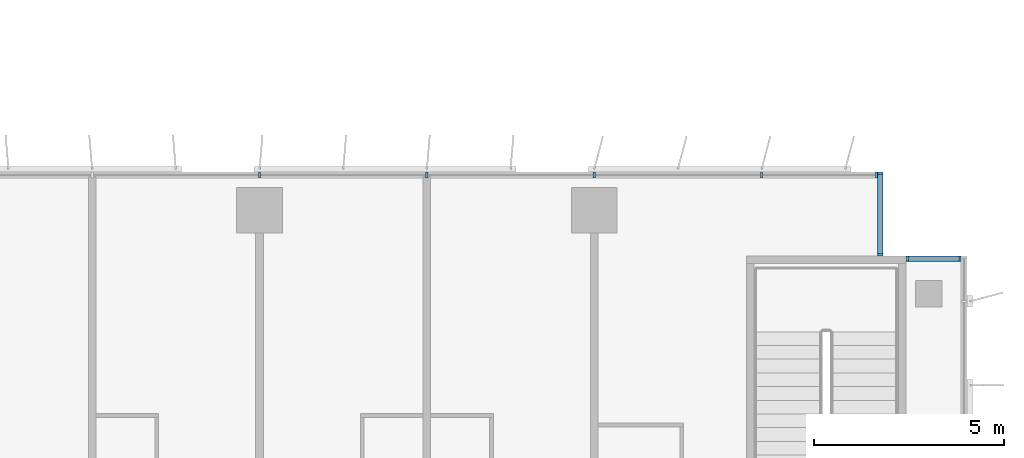
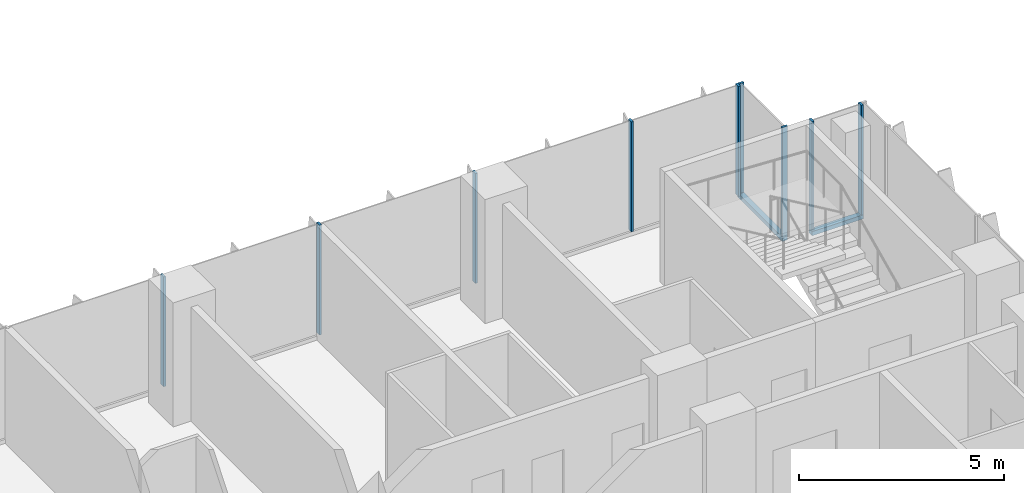
# One storey, part 4 of 22: 11 members, 3 elements without a shape of their own.
"""IFC4 building model written with IfcOpenShell, lengths in metres."""

from ifc_helpers import new_model, si_unit, direction, frame, origin, origin_2d, place, context, subcontext, project, spatial, rectangle, extrude, source, transform, mapped, material, material_profile, profile_set, type_object, element, aggregate, save


model = new_model("IFC4")

# Units and contexts
model_context = context("Model", 3, precision=1e-05, world=origin(), true_north=direction((0.0, 1.0)))
body_context = subcontext(model_context, "Body", "Model", "MODEL_VIEW")
ifc_project = project(units=[si_unit("LENGTHUNIT", "METRE"), si_unit("AREAUNIT", "SQUARE_METRE"), si_unit("VOLUMEUNIT", "CUBIC_METRE"), si_unit("PLANEANGLEUNIT", "RADIAN"), si_unit("MASSUNIT", "GRAM", prefix="KILO")], contexts=[model_context])

# Site, building, storey
site_placement = place(None, origin())
site = spatial("IfcSite", under=ifc_project, at=site_placement, CompositionType="ELEMENT")
building_placement = place(site_placement, origin())
building = spatial("IfcBuilding", under=site, at=building_placement, Name="Kemantara Hotel Tower", CompositionType="ELEMENT")
storey_placement = place(building_placement, frame((0.0, 0.0, 145.699951171875)))
storey = spatial("IfcBuildingStorey", under=building, at=storey_placement, Name="L35", CompositionType="ELEMENT", Elevation=145.699951171875)

# Curtain wall, member
ifc_material_1 = material(Name="Low-E tinted double insulated glass 36 mm", Category="glass")
curtain_wall_type = type_object("IfcCurtainWallType", Name="TOWER CURTAIN WALL, FRONT FACES", PredefinedType="USERDEFINED", material=ifc_material_1)
curtain_wall_1_placement = place(storey_placement, origin())
curtain_wall_1 = element("IfcCurtainWall", 1, at=curtain_wall_1_placement, inside=storey, type_object=curtain_wall_type, Name="CW4 L35 T2-R11-1", ObjectType="TOWER CURTAIN WALL, FRONT FACES", PredefinedType="USERDEFINED")
ifc_material_2 = material(Name="Aluminium 6063-T6 bronze anodised", Category="aluminium")
ifc_material_profile_1 = material_profile(ifc_material_2, rectangle(XDim=0.14990234375, YDim=0.1201171875, at=origin_2d()), Name="TOWER CURTAIN WALL, FRONT FACES TRANSOM")
ifc_profile_set_1 = profile_set([ifc_material_profile_1], Name="Aluminium 6063-T6 bronze anodised")
member_type_1 = type_object("IfcMemberType", Name="TOWER CURTAIN WALL, FRONT FACES TRANSOM", PredefinedType="USERDEFINED", material=ifc_profile_set_1)
member_1_placement = place(storey_placement, frame((63.449951171875, 19.72509765625, 0.06005859375), z_axis=(-1.0, 0.0, 0.0), x_axis=(0.0, -1.0, 0.0)))
member_1 = element("IfcMember", 2, at=member_1_placement, type_object=member_type_1, Name="CW4 sill transom T2-R11-1", ObjectType="TRANSOM", PredefinedType="USERDEFINED", context=body_context, shape_type="SweptSolid", body=[
    extrude(rectangle(XDim=0.14990234375, YDim=0.1201171875, at=origin_2d()), origin(), (0.0, 0.0, 1.0), 1.449951171875),
])

curtain_wall_2_placement = place(storey_placement, origin())
curtain_wall_2 = element("IfcCurtainWall", 3, at=curtain_wall_2_placement, inside=storey, type_object=curtain_wall_type, Name="CW4 L35 T2-R12-1", ObjectType="TOWER CURTAIN WALL, FRONT FACES", PredefinedType="USERDEFINED")
member_2_placement = place(storey_placement, frame((61.324951171875, 19.800048828125, 0.06005859375), z_axis=(0.0, 1.0, 0.0), x_axis=(-1.0, 0.0, 0.0)))
member_2 = element("IfcMember", 4, at=member_2_placement, type_object=member_type_1, Name="CW4 sill transom T2-R12-1", ObjectType="TRANSOM", PredefinedType="USERDEFINED", context=body_context, shape_type="SweptSolid", body=[
    extrude(rectangle(XDim=0.14990234375, YDim=0.1201171875, at=origin_2d()), origin(), (0.0, 0.0, 1.0), 2.199951171875),
])

# Curtain wall, members
curtain_wall_3_placement = place(storey_placement, origin())
curtain_wall_3 = element("IfcCurtainWall", 5, at=curtain_wall_3_placement, inside=storey, type_object=curtain_wall_type, Name="CW4 L35 T2-R13-1", ObjectType="TOWER CURTAIN WALL, FRONT FACES", PredefinedType="USERDEFINED")
ifc_material_profile_2 = material_profile(ifc_material_2, rectangle(XDim=0.14990234375, YDim=0.06005859375, at=origin_2d()), Name="TOWER CURTAIN WALL, FRONT FACES MULLION")
ifc_profile_set_2 = profile_set([ifc_material_profile_2], Name="Aluminium 6063-T6 bronze anodised")
member_type_2 = type_object("IfcMemberType", Name="TOWER CURTAIN WALL, FRONT FACES MULLION", PredefinedType="MULLION", material=ifc_profile_set_2)
shared_shape = source(origin(), body_context, "Body", "SweptSolid", [
    extrude(rectangle(XDim=0.14990234375, YDim=0.06005859375, at=origin_2d()), origin(), (0.0, 0.0, 1.0), 3.280029296875),
])
member_3_placement = place(storey_placement, frame((61.219970703125, 21.925048828125, 0.1201171875), z_axis=(0.0, 0.0, 1.0), x_axis=(0.0, -1.0, 0.0)))
member_3 = element("IfcMember", 6, at=member_3_placement, type_object=member_type_2, Name="CW4 mullion T2-R13-1.1", PredefinedType="MULLION", context=body_context, shape_type="MappedRepresentation", body=[
    mapped(shared_shape, transform((0.0, 0.0, 0.0))),
])
member_4_placement = place(storey_placement, frame((58.199951171875, 21.925048828125, 0.1201171875), z_axis=(0.0, 0.0, 1.0), x_axis=(0.0, -1.0, 0.0)))
member_4 = element("IfcMember", 7, at=member_4_placement, type_object=member_type_2, Name="CW4 mullion T2-R13-1.2", PredefinedType="MULLION", context=body_context, shape_type="MappedRepresentation", body=[
    mapped(shared_shape, transform((0.0, 0.0, 0.0))),
])
member_5_placement = place(storey_placement, frame((53.800048828125, 21.925048828125, 0.1201171875), z_axis=(0.0, 0.0, 1.0), x_axis=(0.0, -1.0, 0.0)))
member_5 = element("IfcMember", 8, at=member_5_placement, type_object=member_type_2, Name="CW4 mullion T2-R13-1.3", PredefinedType="MULLION", context=body_context, shape_type="MappedRepresentation", body=[
    mapped(shared_shape, transform((0.0, 0.0, 0.0))),
])
member_6_placement = place(storey_placement, frame((49.39990234375, 21.925048828125, 0.1201171875), z_axis=(0.0, 0.0, 1.0), x_axis=(0.0, -1.0, 0.0)))
member_6 = element("IfcMember", 9, at=member_6_placement, type_object=member_type_2, Name="CW4 mullion T2-R13-1.4", PredefinedType="MULLION", context=body_context, shape_type="MappedRepresentation", body=[
    mapped(shared_shape, transform((0.0, 0.0, 0.0))),
])
member_7_placement = place(storey_placement, frame((45.0, 21.925048828125, 0.1201171875), z_axis=(0.0, 0.0, 1.0), x_axis=(0.0, -1.0, 0.0)))
member_7 = element("IfcMember", 10, at=member_7_placement, type_object=member_type_2, Name="CW4 mullion T2-R13-1.5", PredefinedType="MULLION", context=body_context, shape_type="MappedRepresentation", body=[
    mapped(shared_shape, transform((0.0, 0.0, 0.0))),
])
aggregate(curtain_wall_3, [member_3, member_4, member_5, member_6, member_7])

# Member
member_8_placement = place(storey_placement, frame((63.419921875, 19.72509765625, 0.1201171875), z_axis=(0.0, 0.0, 1.0), x_axis=(0.0, -1.0, 0.0)))
member_8 = element("IfcMember", 11, at=member_8_placement, type_object=member_type_2, Name="CW4 mullion T2-R11-1.1", PredefinedType="MULLION", context=body_context, shape_type="MappedRepresentation", body=[
    mapped(shared_shape, transform((0.0, 0.0, 0.0))),
])

member_9_placement = place(storey_placement, frame((62.030029296875, 19.72509765625, 0.1201171875), z_axis=(0.0, 0.0, 1.0), x_axis=(0.0, -1.0, 0.0)))
member_9 = element("IfcMember", 12, at=member_9_placement, type_object=member_type_2, Name="CW4 mullion T2-R11-1.2", PredefinedType="MULLION", context=body_context, shape_type="MappedRepresentation", body=[
    mapped(shared_shape, transform((0.0, 0.0, 0.0))),
])

aggregate(curtain_wall_1, [member_1, member_8, member_9])

member_10_placement = place(storey_placement, frame((61.324951171875, 19.830078125, 0.1201171875), z_axis=(0.0, 0.0, 1.0), x_axis=(-1.0, 0.0, 0.0)))
member_10 = element("IfcMember", 13, at=member_10_placement, type_object=member_type_2, Name="CW4 mullion T2-R12-1.1", PredefinedType="MULLION", context=body_context, shape_type="MappedRepresentation", body=[
    mapped(shared_shape, transform((0.0, 0.0, 0.0))),
])

member_11_placement = place(storey_placement, frame((61.324951171875, 21.969970703125, 0.1201171875), z_axis=(0.0, 0.0, 1.0), x_axis=(-1.0, 0.0, 0.0)))
member_11 = element("IfcMember", 14, at=member_11_placement, type_object=member_type_2, Name="CW4 mullion T2-R12-1.2", PredefinedType="MULLION", context=body_context, shape_type="MappedRepresentation", body=[
    mapped(shared_shape, transform((0.0, 0.0, 0.0))),
])

aggregate(curtain_wall_2, [member_2, member_10, member_11])

save(model, "model.ifc")
